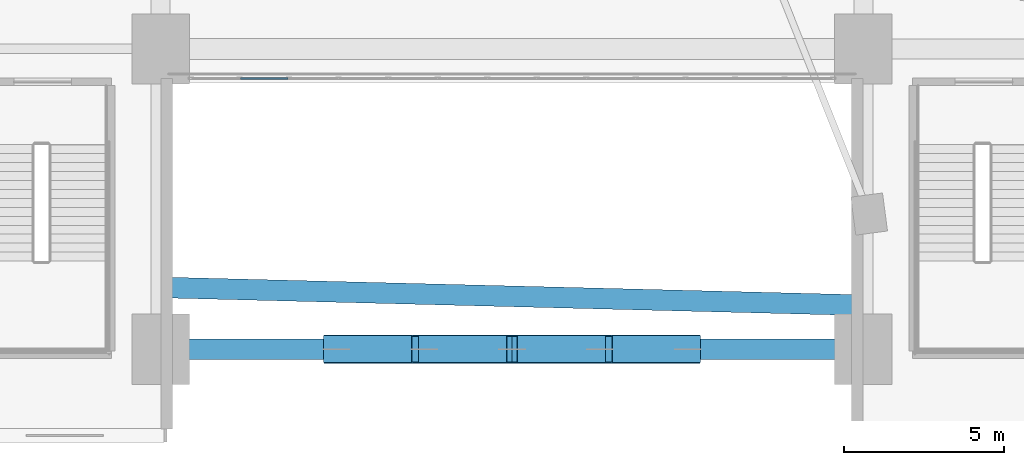
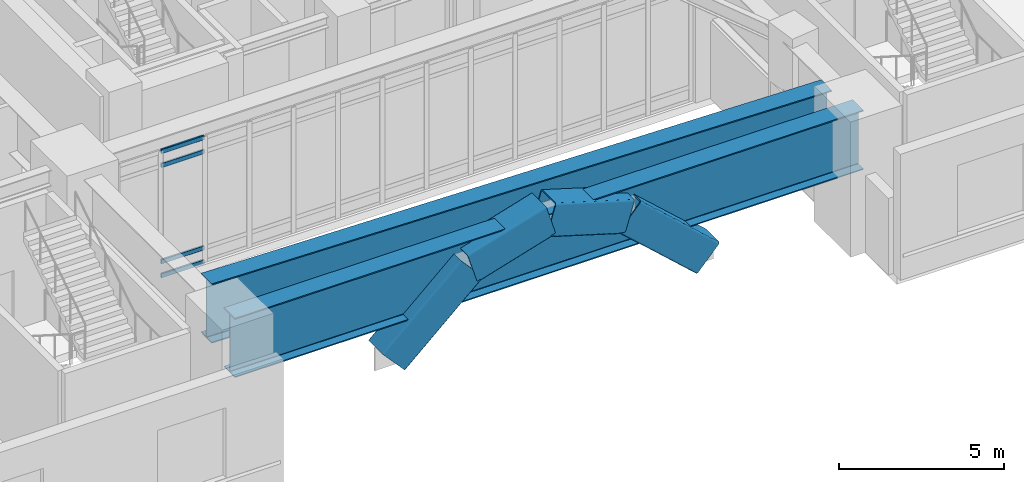
# One storey, part 5 of 25: 8 members, 2 beams, 1 element without a shape of its own.
"""IFC4 building model written with IfcOpenShell, lengths in metres."""

from ifc_helpers import new_model, si_unit, direction, frame, origin, origin_2d, place, context, subcontext, project, spatial, hollow_rectangle, i_section, extrude, material, layer, layer_set, material_profile, profile_set, type_object, element, aggregate, save


model = new_model("IFC4")

# Units and contexts
model_context = context("Model", 3, precision=1e-05, world=origin(), true_north=direction((0.0, 1.0)))
body_context = subcontext(model_context, "Body", "Model", "MODEL_VIEW")
ifc_project = project(units=[si_unit("LENGTHUNIT", "METRE"), si_unit("AREAUNIT", "SQUARE_METRE"), si_unit("VOLUMEUNIT", "CUBIC_METRE"), si_unit("PLANEANGLEUNIT", "RADIAN"), si_unit("MASSUNIT", "GRAM", prefix="KILO")], contexts=[model_context])

# Site, building, storey
site_placement = place(None, origin())
site = spatial("IfcSite", under=ifc_project, at=site_placement, CompositionType="ELEMENT")
building_placement = place(site_placement, origin())
building = spatial("IfcBuilding", under=site, at=building_placement, Name="Ndelora Gate Hotel", CompositionType="ELEMENT")
storey_placement = place(building_placement, frame((0.0, 0.0, 11.0)))
storey = spatial("IfcBuildingStorey", under=building, at=storey_placement, Name="L02", CompositionType="ELEMENT", Elevation=11.0)

# Beams
ifc_material_1 = material(Name="Steel S460", Category="steel")
ifc_material_profile_1 = material_profile(ifc_material_1, i_section(OverallWidth=0.64990234375, OverallDepth=2.199951171875, WebThickness=0.030029296875, FlangeThickness=0.0400390625, FilletRadius=0.02392578125, at=origin_2d()), Name="PG 2200x650x40")
ifc_profile_set_1 = profile_set([ifc_material_profile_1], Name="Steel S460")
beam_type = type_object("IfcBeamType", Name="BM-TR-2200", PredefinedType="BEAM", material=ifc_profile_set_1)
beam_1_placement = place(storey_placement, frame((-10.699951171875, -16.873291015625, 3.56005859375), z_axis=(0.999679718063, -0.025307336737, 0.0), x_axis=(0.025307336737, 0.999679718063, 0.0)))
element("IfcBeam", 1, at=beam_1_placement, inside=storey, type_object=beam_type, Name="L02 Portal Arch South Tower Root Transfer Girder", PredefinedType="BEAM", context=body_context, shape_type="SweptSolid", body=[
    extrude(i_section(OverallWidth=0.64990234375, OverallDepth=2.199951171875, WebThickness=0.030029296875, FlangeThickness=0.0400390625, FilletRadius=0.02392578125, at=origin_2d()), origin(), (0.0, 0.0, 1.0), 21.40673828125),
])
beam_2_placement = place(storey_placement, frame((-11.0, -18.800048828125, 3.56005859375), z_axis=(1.0, 0.0, 0.0), x_axis=(0.0, 1.0, 0.0)))
element("IfcBeam", 2, at=beam_2_placement, inside=storey, type_object=beam_type, Name="L02 structural beam TG-0", PredefinedType="BEAM", context=body_context, shape_type="SweptSolid", body=[
    extrude(i_section(OverallWidth=0.64990234375, OverallDepth=2.199951171875, WebThickness=0.030029296875, FlangeThickness=0.0400390625, FilletRadius=0.02392578125, at=origin_2d()), origin(), (0.0, 0.0, 1.0), 22.0),
])

# Members
ifc_material_profile_2 = material_profile(ifc_material_1, hollow_rectangle(XDim=0.89990234375, YDim=1.199951171875, WallThickness=0.035888671875, InnerFilletRadius=0.035888671875, OuterFilletRadius=0.072021484375, at=origin_2d()), Name="BOX 1200x900x36")
ifc_profile_set_2 = profile_set([ifc_material_profile_2], Name="Steel S460")
member_type_1 = type_object("IfcMemberType", Name="MB-ARCH-RIB2", PredefinedType="CHORD", material=ifc_profile_set_2)
member_1_placement = place(storey_placement, frame((-5.5, -18.800048828125, 1.175048828125), z_axis=(0.740790573247, 0.0, 0.671736054257), x_axis=(0.0, 1.0, 0.0)))
element("IfcMember", 3, at=member_1_placement, inside=storey, type_object=member_type_1, Name="Portal Arch Parabolic Rib S-3", PredefinedType="CHORD", context=body_context, shape_type="SweptSolid", body=[
    extrude(hollow_rectangle(XDim=0.89990234375, YDim=1.199951171875, WallThickness=0.035888671875, InnerFilletRadius=0.035888671875, OuterFilletRadius=0.072021484375, at=origin_2d()), origin(), (0.0, 0.0, 1.0), 3.712158203125),
])
for number, where, z_axis, x_axis, name in (
    (4, (-2.75, -18.800048828125, 3.668701171875), (0.957220733393, 0.0, 0.289358717792), (0.0, 1.0, 0.0), "Portal Arch Parabolic Rib S-4"),
    (5, (0.0, -18.800048828125, 4.5), (0.957220733393, 0.0, -0.289358717792), (0.0, 1.0, 0.0), "Portal Arch Parabolic Rib S-5"),
):
    element("IfcMember", number, at=place(storey_placement, frame(where, z_axis=z_axis, x_axis=x_axis)), inside=storey, type_object=member_type_1, Name=name, PredefinedType="CHORD", context=body_context, shape_type="SweptSolid", body=[
        extrude(hollow_rectangle(XDim=0.89990234375, YDim=1.199951171875, WallThickness=0.035888671875, InnerFilletRadius=0.035888671875, OuterFilletRadius=0.072021484375, at=origin_2d()), origin(), (0.0, 0.0, 1.0), 2.872802734375),
    ])
member_2_placement = place(storey_placement, frame((2.75, -18.800048828125, 3.668701171875), z_axis=(0.740790573247, 0.0, -0.671736054257), x_axis=(0.0, 1.0, 0.0)))
element("IfcMember", 6, at=member_2_placement, inside=storey, type_object=member_type_1, Name="Portal Arch Parabolic Rib S-6", PredefinedType="CHORD", context=body_context, shape_type="SweptSolid", body=[
    extrude(hollow_rectangle(XDim=0.89990234375, YDim=1.199951171875, WallThickness=0.035888671875, InnerFilletRadius=0.035888671875, OuterFilletRadius=0.072021484375, at=origin_2d()), origin(), (0.0, 0.0, 1.0), 3.712158203125),
])

# Curtain wall, members
ifc_material_2 = material(Name="Bronze Anodised Unitised Aluminium and Low-E Glass", Category="aluminium")
ifc_layer = layer(ifc_material_2, 0.239990234375)
ifc_layer_set = layer_set([ifc_layer], Name="Bronze Anodised Unitised Aluminium and Low-E Glass")
curtain_wall_type = type_object("IfcCurtainWallType", Name="CW-SYS-1", PredefinedType="NOTDEFINED", material=ifc_layer_set)
curtain_wall_placement = place(storey_placement, origin())
curtain_wall = element("IfcCurtainWall", 7, at=curtain_wall_placement, inside=storey, type_object=curtain_wall_type, Name="L02 South Portal Arch Concourse Curtain Wall CW1", PredefinedType="NOTDEFINED")
ifc_material_3 = material(Name="Bronze Anodised Aluminium 6063-T6", Category="aluminium")
ifc_material_profile_3 = material_profile(ifc_material_3, hollow_rectangle(XDim=0.06494140625, YDim=0.159912109375, WallThickness=0.00390625, InnerFilletRadius=0.00390625, OuterFilletRadius=0.008056640625, at=origin_2d()), Name="ALU 160x65x4")
ifc_profile_set_3 = profile_set([ifc_material_profile_3], Name="Bronze Anodised Aluminium 6063-T6")
member_type_2 = type_object("IfcMemberType", Name="MB-CW-TRN150", PredefinedType="USERDEFINED", material=ifc_profile_set_3)
member_3_placement = place(storey_placement, frame((-8.500244140625, -10.320068359375, 0.032470703125), z_axis=(1.0, 0.0, 0.0), x_axis=(0.0, 1.0, 0.0)))
member_3 = element("IfcMember", 8, at=member_3_placement, type_object=member_type_2, Name="CW1 transom 2.1", ObjectType="TRANSOM", PredefinedType="USERDEFINED", context=body_context, shape_type="SweptSolid", body=[
    extrude(hollow_rectangle(XDim=0.06494140625, YDim=0.159912109375, WallThickness=0.00390625, InnerFilletRadius=0.00390625, OuterFilletRadius=0.008056640625, at=origin_2d()), origin(), (0.0, 0.0, 1.0), 1.49267578125),
])
member_4_placement = place(storey_placement, frame((-8.500244140625, -10.320068359375, 0.550048828125), z_axis=(1.0, 0.0, 0.0), x_axis=(0.0, 1.0, 0.0)))
member_4 = element("IfcMember", 9, at=member_4_placement, type_object=member_type_2, Name="CW1 transom 2.2", ObjectType="TRANSOM", PredefinedType="USERDEFINED", context=body_context, shape_type="SweptSolid", body=[
    extrude(hollow_rectangle(XDim=0.06494140625, YDim=0.159912109375, WallThickness=0.00390625, InnerFilletRadius=0.00390625, OuterFilletRadius=0.008056640625, at=origin_2d()), origin(), (0.0, 0.0, 1.0), 1.49267578125),
])
member_5_placement = place(storey_placement, frame((-8.500244140625, -10.320068359375, 4.110107421875), z_axis=(1.0, 0.0, 0.0), x_axis=(0.0, 1.0, 0.0)))
member_5 = element("IfcMember", 10, at=member_5_placement, type_object=member_type_2, Name="CW1 transom 2.3", ObjectType="TRANSOM", PredefinedType="USERDEFINED", context=body_context, shape_type="SweptSolid", body=[
    extrude(hollow_rectangle(XDim=0.06494140625, YDim=0.159912109375, WallThickness=0.00390625, InnerFilletRadius=0.00390625, OuterFilletRadius=0.008056640625, at=origin_2d()), origin(), (0.0, 0.0, 1.0), 1.49267578125),
])
member_6_placement = place(storey_placement, frame((-8.500244140625, -10.320068359375, 4.62744140625), z_axis=(1.0, 0.0, 0.0), x_axis=(0.0, 1.0, 0.0)))
member_6 = element("IfcMember", 11, at=member_6_placement, type_object=member_type_2, Name="CW1 transom 2.4", ObjectType="TRANSOM", PredefinedType="USERDEFINED", context=body_context, shape_type="SweptSolid", body=[
    extrude(hollow_rectangle(XDim=0.06494140625, YDim=0.159912109375, WallThickness=0.00390625, InnerFilletRadius=0.00390625, OuterFilletRadius=0.008056640625, at=origin_2d()), origin(), (0.0, 0.0, 1.0), 1.49267578125),
])
aggregate(curtain_wall, [member_3, member_4, member_5, member_6])

save(model, "model.ifc")
